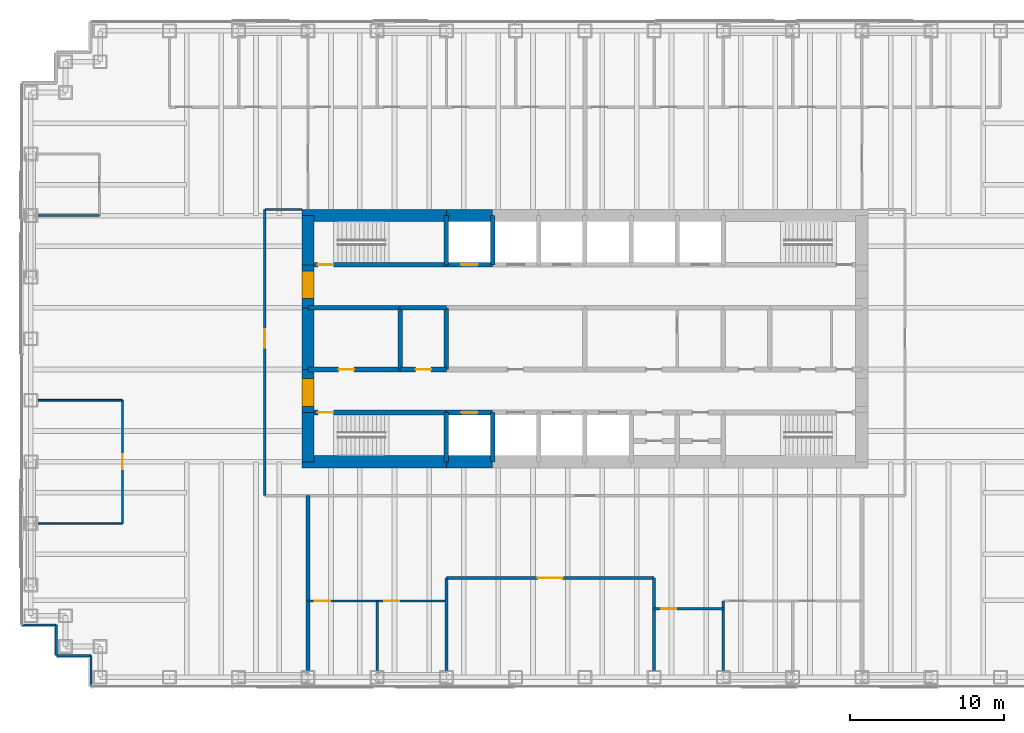
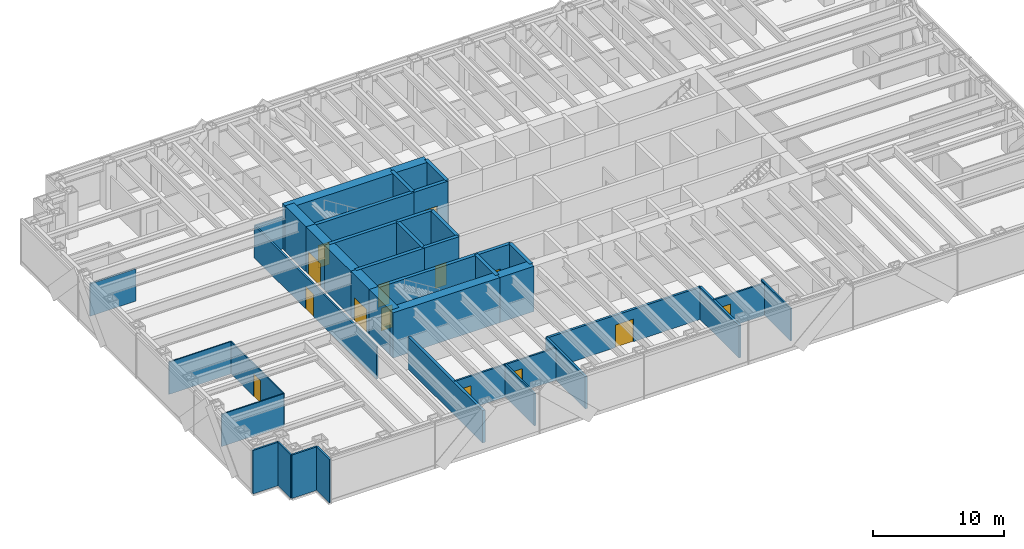
# One storey, part 12 of 17: 41 walls, 14 doors, 14 openings.
"""IFC4 building model written with IfcOpenShell, lengths in metres."""

from ifc_helpers import new_model, si_unit, direction, frame, frame_2d, origin, place, context, subcontext, project, spatial, rectangle, extrude, material, layer, layer_set, type_object, element, fill, save


model = new_model("IFC4")

# Units and contexts
model_context = context("Model", 3, precision=1e-05, world=origin(), true_north=direction((0.0, 1.0)))
body_context = subcontext(model_context, "Body", "Model", "MODEL_VIEW")
ifc_project = project(units=[si_unit("LENGTHUNIT", "METRE"), si_unit("AREAUNIT", "SQUARE_METRE"), si_unit("VOLUMEUNIT", "CUBIC_METRE"), si_unit("PLANEANGLEUNIT", "RADIAN"), si_unit("MASSUNIT", "GRAM", prefix="KILO")], contexts=[model_context])

# Site, building, storey
site_placement = place(None, origin())
site = spatial("IfcSite", under=ifc_project, at=site_placement, CompositionType="ELEMENT")
building_placement = place(site_placement, origin())
building = spatial("IfcBuilding", under=site, at=building_placement, Name="Rheinbord Bourse Tower", CompositionType="ELEMENT")
storey_placement = place(building_placement, frame((0.0, 0.0, 223.60009765625)))
storey = spatial("IfcBuildingStorey", under=building, at=storey_placement, Name="L50", CompositionType="ELEMENT", Elevation=223.60009765625)

# Wall, opening, door
ifc_material_1 = material(Name="Acoustic gypsum board partition", Category="gypsum board")
ifc_layer_1 = layer(ifc_material_1, 0.199951171875)
ifc_layer_set_1 = layer_set([ifc_layer_1], Name="ACOUSTIC PARTITION 200")
wall_type_1 = type_object("IfcWallType", Name="ACOUSTIC PARTITION 200", PredefinedType="PARTITIONING", material=ifc_layer_set_1)
wall_1_placement = place(storey_placement, frame((27.0, 8.449951171875, 0.0), z_axis=(0.0, 0.0, 1.0), x_axis=(1.0, 0.0, 0.0)))
wall_1 = element("IfcWall", 1, at=wall_1_placement, inside=storey, type_object=wall_type_1, Name="Partition L50-04", PredefinedType="PARTITIONING", context=body_context, shape_type="SweptSolid", body=[
    extrude(rectangle(XDim=13.5, YDim=0.199951171875, at=frame_2d((6.75, 0.0))), origin(), (0.0, 0.0, 1.0), 3.0),
])
opening_1_placement = place(wall_1_placement, frame((5.949951171875, 0.0, 0.0)))
opening_1 = element("IfcOpeningElement", 2, at=opening_1_placement, cuts=wall_1, Name="Opening 50D06", PredefinedType="OPENING", context=body_context, shape_type="SweptSolid", body=[
    extrude(rectangle(XDim=1.60009765625, YDim=2.10009765625, at=frame_2d((0.800048828125, 1.050048828125))), frame((0.0, 0.10986328125, 0.0), z_axis=(0.0, -1.0, 0.0), x_axis=(1.0, 0.0, 0.0)), (0.0, 0.0, 1.0), 0.219970703125),
])
ifc_material_2 = material(Name="Timber door", Category="wood")
door_type_1 = type_object("IfcDoorType", Name="DOUBLE ROOM DOOR 1600", OperationType="DOUBLE_DOOR_DOUBLE_SWING", PredefinedType="DOOR", material=ifc_material_2)
door_1_placement = place(opening_1_placement, origin())
door_1 = element("IfcDoor", 3, at=door_1_placement, inside=storey, type_object=door_type_1, Name="Board room door L50", OperationType="SINGLE_SWING_LEFT", OverallHeight=2.10009765625, OverallWidth=1.60009765625, PredefinedType="DOOR", context=body_context, shape_type="SweptSolid", body=[
    extrude(rectangle(XDim=1.60009765625, YDim=2.10009765625, at=frame_2d((0.800048828125, 1.050048828125))), frame((0.0, 0.02490234375, 0.0), z_axis=(0.0, -1.0, 0.0), x_axis=(1.0, 0.0, 0.0)), (0.0, 0.0, 1.0), 0.050048828125),
])
fill(opening_1, door_1)

# Walls
for number, where, z_axis, x_axis, name in (
    (4, (27.0, 2.449951171875, 0.0), (0.0, 0.0, 1.0), (0.0, 1.0, 0.0), "Partition L50-27"),
    (5, (40.5, 2.449951171875, 0.0), (0.0, 0.0, 1.0), (0.0, 1.0, 0.0), "Partition L50-31"),
):
    element("IfcWall", number, at=place(storey_placement, frame(where, z_axis=z_axis, x_axis=x_axis)), inside=storey, type_object=wall_type_1, Name=name, PredefinedType="PARTITIONING", context=body_context, shape_type="SweptSolid", body=[
        extrude(rectangle(XDim=6.0, YDim=0.199951171875, at=frame_2d((3.0, 0.0))), origin(), (0.0, 0.0, 1.0), 3.0),
    ])

# Wall, opening, door
ifc_material_3 = material(Name="Concrete C50/60", Category="concrete")
ifc_layer_2 = layer(ifc_material_3, 0.300048828125)
ifc_layer_set_2 = layer_set([ifc_layer_2], Name="CORE INNER WALL 300")
wall_type_2 = type_object("IfcWallType", Name="CORE INNER WALL 300", PredefinedType="SOLIDWALL", material=ifc_layer_set_2)
wall_2_placement = place(storey_placement, frame((18.0, 19.199951171875, 0.0), z_axis=(0.0, 0.0, 1.0), x_axis=(1.0, 0.0, 0.0)))
wall_2 = element("IfcWall", 6, at=wall_2_placement, inside=storey, type_object=wall_type_2, Name="Core wall A1 L50", PredefinedType="SOLIDWALL", context=body_context, shape_type="SweptSolid", body=[
    extrude(rectangle(XDim=9.0, YDim=0.300048828125, at=frame_2d((4.5, 0.0))), origin(), (0.0, 0.0, 1.0), 4.199951171875),
])
opening_2_placement = place(wall_2_placement, frame((0.64990234375, 0.0, 0.0)))
opening_2 = element("IfcOpeningElement", 7, at=opening_2_placement, cuts=wall_2, Name="Opening 5010", PredefinedType="OPENING", context=body_context, shape_type="SweptSolid", body=[
    extrude(rectangle(XDim=1.0, YDim=2.10009765625, at=frame_2d((0.5, 1.050048828125))), frame((0.0, 0.159912109375, 0.0), z_axis=(0.0, -1.0, 0.0), x_axis=(1.0, 0.0, 0.0)), (0.0, 0.0, 1.0), 0.320068359375),
])
ifc_material_4 = material(Name="Steel door", Category="steel")
door_type_2 = type_object("IfcDoorType", Name="DOOR 1000 EI30", OperationType="SINGLE_SWING_LEFT", PredefinedType="DOOR", material=ifc_material_4)
door_2_placement = place(opening_2_placement, origin())
door_2 = element("IfcDoor", 8, at=door_2_placement, inside=storey, type_object=door_type_2, Name="Stair door ST1 L50", OperationType="SINGLE_SWING_LEFT", OverallHeight=2.10009765625, OverallWidth=1.0, PredefinedType="DOOR", context=body_context, shape_type="SweptSolid", body=[
    extrude(rectangle(XDim=1.0, YDim=2.10009765625, at=frame_2d((0.5, 1.050048828125))), frame((0.0, 0.02490234375, 0.0), z_axis=(0.0, -1.0, 0.0), x_axis=(1.0, 0.0, 0.0)), (0.0, 0.0, 1.0), 0.050048828125),
])
fill(opening_2, door_2)

wall_3_placement = place(storey_placement, frame((27.0, 19.199951171875, 0.0), z_axis=(0.0, 0.0, 1.0), x_axis=(1.0, 0.0, 0.0)))
wall_3 = element("IfcWall", 9, at=wall_3_placement, inside=storey, type_object=wall_type_2, Name="Core wall A2 L50", PredefinedType="SOLIDWALL", context=body_context, shape_type="SweptSolid", body=[
    extrude(rectangle(XDim=3.0, YDim=0.300048828125, at=frame_2d((1.5, 0.0))), origin(), (0.0, 0.0, 1.0), 4.199951171875),
])
opening_3_placement = place(wall_3_placement, frame((0.949951171875, 0.0, 0.0)))
opening_3 = element("IfcOpeningElement", 10, at=opening_3_placement, cuts=wall_3, Name="Opening FL1", PredefinedType="OPENING", context=body_context, shape_type="SweptSolid", body=[
    extrude(rectangle(XDim=1.10009765625, YDim=2.199951171875, at=frame_2d((0.550048828125, 1.10009765625))), frame((0.0, 0.159912109375, 0.0), z_axis=(0.0, -1.0, 0.0), x_axis=(1.0, 0.0, 0.0)), (0.0, 0.0, 1.0), 0.320068359375),
])
ifc_material_5 = material(Name="Steel landing door", Category="steel")
door_type_3 = type_object("IfcDoorType", Name="LIFT LANDING DOOR 1100", OperationType="DOUBLE_DOOR_SLIDING", PredefinedType="USERDEFINED", material=ifc_material_5)
door_3_placement = place(opening_3_placement, origin())
door_3 = element("IfcDoor", 11, at=door_3_placement, inside=storey, type_object=door_type_3, Name="Lift landing door FL1 L50", ObjectType="LIFT LANDING DOOR", OperationType="DOUBLE_DOOR_SLIDING", OverallHeight=2.199951171875, OverallWidth=1.10009765625, PredefinedType="USERDEFINED", context=body_context, shape_type="SweptSolid", body=[
    extrude(rectangle(XDim=1.10009765625, YDim=2.199951171875, at=frame_2d((0.550048828125, 1.10009765625))), frame((0.0, 0.02490234375, 0.0), z_axis=(0.0, -1.0, 0.0), x_axis=(1.0, 0.0, 0.0)), (0.0, 0.0, 1.0), 0.050048828125),
])
fill(opening_3, door_3)

wall_4_placement = place(storey_placement, frame((18.0, 28.800048828125, 0.0), z_axis=(0.0, 0.0, 1.0), x_axis=(1.0, 0.0, 0.0)))
wall_4 = element("IfcWall", 12, at=wall_4_placement, inside=storey, type_object=wall_type_2, Name="Core wall B1 L50", PredefinedType="SOLIDWALL", context=body_context, shape_type="SweptSolid", body=[
    extrude(rectangle(XDim=9.0, YDim=0.300048828125, at=frame_2d((4.5, 0.0))), origin(), (0.0, 0.0, 1.0), 4.199951171875),
])
opening_4_placement = place(wall_4_placement, frame((0.64990234375, 0.0, 0.0)))
opening_4 = element("IfcOpeningElement", 13, at=opening_4_placement, cuts=wall_4, Name="Opening 5020", PredefinedType="OPENING", context=body_context, shape_type="SweptSolid", body=[
    extrude(rectangle(XDim=1.0, YDim=2.10009765625, at=frame_2d((0.5, 1.050048828125))), frame((0.0, 0.159912109375, 0.0), z_axis=(0.0, -1.0, 0.0), x_axis=(1.0, 0.0, 0.0)), (0.0, 0.0, 1.0), 0.320068359375),
])
door_4_placement = place(opening_4_placement, origin())
door_4 = element("IfcDoor", 14, at=door_4_placement, inside=storey, type_object=door_type_2, Name="Stair door ST2 L50", OperationType="SINGLE_SWING_LEFT", OverallHeight=2.10009765625, OverallWidth=1.0, PredefinedType="DOOR", context=body_context, shape_type="SweptSolid", body=[
    extrude(rectangle(XDim=1.0, YDim=2.10009765625, at=frame_2d((0.5, 1.050048828125))), frame((0.0, 0.02490234375, 0.0), z_axis=(0.0, -1.0, 0.0), x_axis=(1.0, 0.0, 0.0)), (0.0, 0.0, 1.0), 0.050048828125),
])
fill(opening_4, door_4)

wall_5_placement = place(storey_placement, frame((27.0, 28.800048828125, 0.0), z_axis=(0.0, 0.0, 1.0), x_axis=(1.0, 0.0, 0.0)))
wall_5 = element("IfcWall", 15, at=wall_5_placement, inside=storey, type_object=wall_type_2, Name="Core wall B2 L50", PredefinedType="SOLIDWALL", context=body_context, shape_type="SweptSolid", body=[
    extrude(rectangle(XDim=3.0, YDim=0.300048828125, at=frame_2d((1.5, 0.0))), origin(), (0.0, 0.0, 1.0), 4.199951171875),
])
opening_5_placement = place(wall_5_placement, frame((0.949951171875, 0.0, 0.0)))
opening_5 = element("IfcOpeningElement", 16, at=opening_5_placement, cuts=wall_5, Name="Opening GL1", PredefinedType="OPENING", context=body_context, shape_type="SweptSolid", body=[
    extrude(rectangle(XDim=1.10009765625, YDim=2.199951171875, at=frame_2d((0.550048828125, 1.10009765625))), frame((0.0, 0.159912109375, 0.0), z_axis=(0.0, -1.0, 0.0), x_axis=(1.0, 0.0, 0.0)), (0.0, 0.0, 1.0), 0.320068359375),
])
door_5_placement = place(opening_5_placement, origin())
door_5 = element("IfcDoor", 17, at=door_5_placement, inside=storey, type_object=door_type_3, Name="Lift landing door GL1 L50", ObjectType="LIFT LANDING DOOR", OperationType="DOUBLE_DOOR_SLIDING", OverallHeight=2.199951171875, OverallWidth=1.10009765625, PredefinedType="USERDEFINED", context=body_context, shape_type="SweptSolid", body=[
    extrude(rectangle(XDim=1.10009765625, YDim=2.199951171875, at=frame_2d((0.550048828125, 1.10009765625))), frame((0.0, 0.02490234375, 0.0), z_axis=(0.0, -1.0, 0.0), x_axis=(1.0, 0.0, 0.0)), (0.0, 0.0, 1.0), 0.050048828125),
])
fill(opening_5, door_5)

wall_6_placement = place(storey_placement, frame((18.0, 22.0, 0.0), z_axis=(0.0, 0.0, 1.0), x_axis=(1.0, 0.0, 0.0)))
wall_6 = element("IfcWall", 18, at=wall_6_placement, inside=storey, type_object=wall_type_2, Name="Core wall C1 L50", PredefinedType="SOLIDWALL", context=body_context, shape_type="SweptSolid", body=[
    extrude(rectangle(XDim=6.0, YDim=0.300048828125, at=frame_2d((3.0, 0.0))), origin(), (0.0, 0.0, 1.0), 4.199951171875),
])
opening_6_placement = place(wall_6_placement, frame((2.0, 0.0, 0.0)))
opening_6 = element("IfcOpeningElement", 19, at=opening_6_placement, cuts=wall_6, Name="Opening 50R1", PredefinedType="OPENING", context=body_context, shape_type="SweptSolid", body=[
    extrude(rectangle(XDim=1.0, YDim=2.10009765625, at=frame_2d((0.5, 1.050048828125))), frame((0.0, 0.159912109375, 0.0), z_axis=(0.0, -1.0, 0.0), x_axis=(1.0, 0.0, 0.0)), (0.0, 0.0, 1.0), 0.320068359375),
])
ifc_material_6 = material(Name="Timber door", Category="wood")
door_type_4 = type_object("IfcDoorType", Name="DOOR 1000 WC", OperationType="SINGLE_SWING_LEFT", PredefinedType="DOOR", material=ifc_material_6)
door_6_placement = place(opening_6_placement, origin())
door_6 = element("IfcDoor", 20, at=door_6_placement, inside=storey, type_object=door_type_4, Name="WC men door L50", OperationType="SINGLE_SWING_LEFT", OverallHeight=2.10009765625, OverallWidth=1.0, PredefinedType="DOOR", context=body_context, shape_type="SweptSolid", body=[
    extrude(rectangle(XDim=1.0, YDim=2.10009765625, at=frame_2d((0.5, 1.050048828125))), frame((0.0, 0.02490234375, 0.0), z_axis=(0.0, -1.0, 0.0), x_axis=(1.0, 0.0, 0.0)), (0.0, 0.0, 1.0), 0.050048828125),
])
fill(opening_6, door_6)

wall_7_placement = place(storey_placement, frame((24.0, 22.0, 0.0), z_axis=(0.0, 0.0, 1.0), x_axis=(1.0, 0.0, 0.0)))
wall_7 = element("IfcWall", 21, at=wall_7_placement, inside=storey, type_object=wall_type_2, Name="Core wall C2 L50", PredefinedType="SOLIDWALL", context=body_context, shape_type="SweptSolid", body=[
    extrude(rectangle(XDim=3.0, YDim=0.300048828125, at=frame_2d((1.5, 0.0))), origin(), (0.0, 0.0, 1.0), 4.199951171875),
])
opening_7_placement = place(wall_7_placement, frame((1.0, 0.0, 0.0)))
opening_7 = element("IfcOpeningElement", 22, at=opening_7_placement, cuts=wall_7, Name="Opening 50R2", PredefinedType="OPENING", context=body_context, shape_type="SweptSolid", body=[
    extrude(rectangle(XDim=1.0, YDim=2.10009765625, at=frame_2d((0.5, 1.050048828125))), frame((0.0, 0.159912109375, 0.0), z_axis=(0.0, -1.0, 0.0), x_axis=(1.0, 0.0, 0.0)), (0.0, 0.0, 1.0), 0.320068359375),
])
door_7_placement = place(opening_7_placement, origin())
door_7 = element("IfcDoor", 23, at=door_7_placement, inside=storey, type_object=door_type_4, Name="Accessible WC door L50", OperationType="SINGLE_SWING_LEFT", OverallHeight=2.10009765625, OverallWidth=1.0, PredefinedType="DOOR", context=body_context, shape_type="SweptSolid", body=[
    extrude(rectangle(XDim=1.0, YDim=2.10009765625, at=frame_2d((0.5, 1.050048828125))), frame((0.0, 0.02490234375, 0.0), z_axis=(0.0, -1.0, 0.0), x_axis=(1.0, 0.0, 0.0)), (0.0, 0.0, 1.0), 0.050048828125),
])
fill(opening_7, door_7)

# Walls
wall_8_placement = place(storey_placement, frame((18.0, 26.0, 0.0), z_axis=(0.0, 0.0, 1.0), x_axis=(1.0, 0.0, 0.0)))
element("IfcWall", 24, at=wall_8_placement, inside=storey, type_object=wall_type_2, Name="Core wall D1 L50", PredefinedType="SOLIDWALL", context=body_context, shape_type="SweptSolid", body=[
    extrude(rectangle(XDim=6.0, YDim=0.300048828125, at=frame_2d((3.0, 0.0))), origin(), (0.0, 0.0, 1.0), 4.199951171875),
])
wall_9_placement = place(storey_placement, frame((24.0, 26.0, 0.0), z_axis=(0.0, 0.0, 1.0), x_axis=(1.0, 0.0, 0.0)))
element("IfcWall", 25, at=wall_9_placement, inside=storey, type_object=wall_type_2, Name="Core wall D2 L50", PredefinedType="SOLIDWALL", context=body_context, shape_type="SweptSolid", body=[
    extrude(rectangle(XDim=3.0, YDim=0.300048828125, at=frame_2d((1.5, 0.0))), origin(), (0.0, 0.0, 1.0), 4.199951171875),
])
for number, where, z_axis, x_axis, name in (
    (26, (27.0, 16.0, 0.0), (0.0, 0.0, 1.0), (0.0, 1.0, 0.0), "Core wall SX27 L50"),
    (27, (27.0, 28.800048828125, 0.0), (0.0, 0.0, 1.0), (0.0, 1.0, 0.0), "Core wall NX27 L50"),
    (28, (30.0, 16.0, 0.0), (0.0, 0.0, 1.0), (0.0, 1.0, 0.0), "Core wall SX30 L50"),
    (29, (30.0, 28.800048828125, 0.0), (0.0, 0.0, 1.0), (0.0, 1.0, 0.0), "Core wall NX30 L50"),
):
    element("IfcWall", number, at=place(storey_placement, frame(where, z_axis=z_axis, x_axis=x_axis)), inside=storey, type_object=wall_type_2, Name=name, PredefinedType="SOLIDWALL", context=body_context, shape_type="SweptSolid", body=[
        extrude(rectangle(XDim=3.199951171875, YDim=0.300048828125, at=frame_2d((1.60009765625, 0.0))), origin(), (0.0, 0.0, 1.0), 4.199951171875),
    ])
for number, where, z_axis, x_axis, name in (
    (30, (24.0, 22.0, 0.0), (0.0, 0.0, 1.0), (0.0, 1.0, 0.0), "Core wall MX24 L50"),
    (31, (27.0, 22.0, 0.0), (0.0, 0.0, 1.0), (0.0, 1.0, 0.0), "Core wall MX27 L50"),
):
    element("IfcWall", number, at=place(storey_placement, frame(where, z_axis=z_axis, x_axis=x_axis)), inside=storey, type_object=wall_type_2, Name=name, PredefinedType="SOLIDWALL", context=body_context, shape_type="SweptSolid", body=[
        extrude(rectangle(XDim=4.0, YDim=0.300048828125, at=frame_2d((2.0, 0.0))), origin(), (0.0, 0.0, 1.0), 4.199951171875),
    ])
ifc_material_7 = material(Name="Concrete C50/60", Category="concrete")
ifc_layer_3 = layer(ifc_material_7, 0.800048828125)
ifc_layer_set_3 = layer_set([ifc_layer_3], Name="CORE WALL 800")
wall_type_3 = type_object("IfcWallType", Name="CORE WALL 800", PredefinedType="SHEAR", material=ifc_layer_set_3)
wall_10_placement = place(storey_placement, frame((17.60009765625, 16.0, 0.0), z_axis=(0.0, 0.0, 1.0), x_axis=(1.0, 0.0, 0.0)))
element("IfcWall", 32, at=wall_10_placement, inside=storey, type_object=wall_type_3, Name="Core wall S1 L50", PredefinedType="SHEAR", context=body_context, shape_type="SweptSolid", body=[
    extrude(rectangle(XDim=9.39990234375, YDim=0.800048828125, at=frame_2d((4.699951171875, 0.0))), origin(), (0.0, 0.0, 1.0), 4.199951171875),
])
for number, where, z_axis, x_axis, name in (
    (33, (27.0, 16.0, 0.0), (0.0, 0.0, 1.0), (1.0, 0.0, 0.0), "Core wall S2 L50"),
    (34, (30.0, 32.0, 0.0), (0.0, 0.0, 1.0), (-1.0, 0.0, 0.0), "Core wall N7 L50"),
):
    element("IfcWall", number, at=place(storey_placement, frame(where, z_axis=z_axis, x_axis=x_axis)), inside=storey, type_object=wall_type_3, Name=name, PredefinedType="SHEAR", context=body_context, shape_type="SweptSolid", body=[
        extrude(rectangle(XDim=3.0, YDim=0.800048828125, at=frame_2d((1.5, 0.0))), origin(), (0.0, 0.0, 1.0), 4.199951171875),
    ])
wall_11_placement = place(storey_placement, frame((27.0, 32.0, 0.0), z_axis=(0.0, 0.0, 1.0), x_axis=(-1.0, 0.0, 0.0)))
element("IfcWall", 35, at=wall_11_placement, inside=storey, type_object=wall_type_3, Name="Core wall N8 L50", PredefinedType="SHEAR", context=body_context, shape_type="SweptSolid", body=[
    extrude(rectangle(XDim=9.39990234375, YDim=0.800048828125, at=frame_2d((4.699951171875, 0.0))), origin(), (0.0, 0.0, 1.0), 4.199951171875),
])
wall_12_placement = place(storey_placement, frame((18.0, 32.0, 0.0), z_axis=(0.0, 0.0, 1.0), x_axis=(0.0, -1.0, 0.0)))
element("IfcWall", 36, at=wall_12_placement, inside=storey, type_object=wall_type_3, Name="Core wall W1 L50", PredefinedType="SHEAR", context=body_context, shape_type="SweptSolid", body=[
    extrude(rectangle(XDim=3.199951171875, YDim=0.800048828125, at=frame_2d((1.60009765625, 0.0))), origin(), (0.0, 0.0, 1.0), 4.199951171875),
])

# Wall, opening, door
wall_13_placement = place(storey_placement, frame((18.0, 28.800048828125, 0.0), z_axis=(0.0, 0.0, 1.0), x_axis=(0.0, -1.0, 0.0)))
wall_13 = element("IfcWall", 37, at=wall_13_placement, inside=storey, type_object=wall_type_3, Name="Core wall W2 L50", PredefinedType="SHEAR", context=body_context, shape_type="SweptSolid", body=[
    extrude(rectangle(XDim=2.800048828125, YDim=0.800048828125, at=frame_2d((1.39990234375, 0.0))), origin(), (0.0, 0.0, 1.0), 4.199951171875),
])
opening_8_placement = place(wall_13_placement, frame((0.39990234375, 0.0, 0.0)))
opening_8 = element("IfcOpeningElement", 38, at=opening_8_placement, cuts=wall_13, Name="Opening 50L2", PredefinedType="OPENING", context=body_context, shape_type="SweptSolid", body=[
    extrude(rectangle(XDim=1.800048828125, YDim=2.10009765625, at=frame_2d((0.89990234375, 1.050048828125))), frame((0.0, 0.409912109375, 0.0), z_axis=(0.0, -1.0, 0.0), x_axis=(1.0, 0.0, 0.0)), (0.0, 0.0, 1.0), 0.820068359375),
])
ifc_material_8 = material(Name="Steel door", Category="steel")
door_type_5 = type_object("IfcDoorType", Name="DOOR 1800 EI30 DOUBLE", OperationType="DOUBLE_DOOR_DOUBLE_SWING", PredefinedType="DOOR", material=ifc_material_8)
door_8_placement = place(opening_8_placement, origin())
door_8 = element("IfcDoor", 39, at=door_8_placement, inside=storey, type_object=door_type_5, Name="Lobby door 2 L50", OperationType="SINGLE_SWING_LEFT", OverallHeight=2.10009765625, OverallWidth=1.800048828125, PredefinedType="DOOR", context=body_context, shape_type="SweptSolid", body=[
    extrude(rectangle(XDim=1.800048828125, YDim=2.10009765625, at=frame_2d((0.89990234375, 1.050048828125))), frame((0.0, 0.39990234375, 0.0), z_axis=(0.0, -1.0, 0.0), x_axis=(1.0, 0.0, 0.0)), (0.0, 0.0, 1.0), 0.799560546875),
])
fill(opening_8, door_8)

# Wall
wall_14_placement = place(storey_placement, frame((18.0, 26.0, 0.0), z_axis=(0.0, 0.0, 1.0), x_axis=(0.0, -1.0, 0.0)))
element("IfcWall", 40, at=wall_14_placement, inside=storey, type_object=wall_type_3, Name="Core wall W3 L50", PredefinedType="SHEAR", context=body_context, shape_type="SweptSolid", body=[
    extrude(rectangle(XDim=4.0, YDim=0.800048828125, at=frame_2d((2.0, 0.0))), origin(), (0.0, 0.0, 1.0), 4.199951171875),
])

# Wall, opening, door
wall_15_placement = place(storey_placement, frame((18.0, 22.0, 0.0), z_axis=(0.0, 0.0, 1.0), x_axis=(0.0, -1.0, 0.0)))
wall_15 = element("IfcWall", 41, at=wall_15_placement, inside=storey, type_object=wall_type_3, Name="Core wall W4 L50", PredefinedType="SHEAR", context=body_context, shape_type="SweptSolid", body=[
    extrude(rectangle(XDim=2.800048828125, YDim=0.800048828125, at=frame_2d((1.39990234375, 0.0))), origin(), (0.0, 0.0, 1.0), 4.199951171875),
])
opening_9_placement = place(wall_15_placement, frame((0.60009765625, 0.0, 0.0)))
opening_9 = element("IfcOpeningElement", 42, at=opening_9_placement, cuts=wall_15, Name="Opening 50L1", PredefinedType="OPENING", context=body_context, shape_type="SweptSolid", body=[
    extrude(rectangle(XDim=1.800048828125, YDim=2.10009765625, at=frame_2d((0.89990234375, 1.050048828125))), frame((0.0, 0.409912109375, 0.0), z_axis=(0.0, -1.0, 0.0), x_axis=(1.0, 0.0, 0.0)), (0.0, 0.0, 1.0), 0.820068359375),
])
door_9_placement = place(opening_9_placement, origin())
door_9 = element("IfcDoor", 43, at=door_9_placement, inside=storey, type_object=door_type_5, Name="Lobby door 1 L50", OperationType="SINGLE_SWING_LEFT", OverallHeight=2.10009765625, OverallWidth=1.800048828125, PredefinedType="DOOR", context=body_context, shape_type="SweptSolid", body=[
    extrude(rectangle(XDim=1.800048828125, YDim=2.10009765625, at=frame_2d((0.89990234375, 1.050048828125))), frame((0.0, 0.39990234375, 0.0), z_axis=(0.0, -1.0, 0.0), x_axis=(1.0, 0.0, 0.0)), (0.0, 0.0, 1.0), 0.799560546875),
])
fill(opening_9, door_9)

# Walls
wall_16_placement = place(storey_placement, frame((18.0, 19.199951171875, 0.0), z_axis=(0.0, 0.0, 1.0), x_axis=(0.0, -1.0, 0.0)))
element("IfcWall", 44, at=wall_16_placement, inside=storey, type_object=wall_type_3, Name="Core wall W5 L50", PredefinedType="SHEAR", context=body_context, shape_type="SweptSolid", body=[
    extrude(rectangle(XDim=3.199951171875, YDim=0.800048828125, at=frame_2d((1.60009765625, 0.0))), origin(), (0.0, 0.0, 1.0), 4.199951171875),
])
ifc_material_9 = material(Name="Black metal rainscreen panel", Category="aluminium")
ifc_layer_4 = layer(ifc_material_9, 0.14990234375)
ifc_layer_set_4 = layer_set([ifc_layer_4], Name="CORNER PIER CLADDING 150")
wall_type_4 = type_object("IfcWallType", Name="CORNER PIER CLADDING 150", PredefinedType="ELEMENTEDWALL", material=ifc_layer_set_4)
wall_17_placement = place(storey_placement, frame((-0.60009765625, 5.39990234375, 0.0), z_axis=(0.0, 0.0, 1.0), x_axis=(1.0, 0.0, 0.0)))
element("IfcWall", 45, at=wall_17_placement, inside=storey, type_object=wall_type_4, Name="Corner pier cladding L50 17", PredefinedType="ELEMENTEDWALL", context=body_context, shape_type="SweptSolid", body=[
    extrude(rectangle(XDim=2.25, YDim=0.14990234375, at=frame_2d((1.125, 0.0))), origin(), (0.0, 0.0, 1.0), 4.039794921875),
])
wall_18_placement = place(storey_placement, frame((1.64990234375, 5.39990234375, 0.0), z_axis=(0.0, 0.0, 1.0), x_axis=(0.0, -1.0, 0.0)))
element("IfcWall", 46, at=wall_18_placement, inside=storey, type_object=wall_type_4, Name="Corner pier cladding L50 18", PredefinedType="ELEMENTEDWALL", context=body_context, shape_type="SweptSolid", body=[
    extrude(rectangle(XDim=2.0, YDim=0.14990234375, at=frame_2d((1.0, 0.0))), origin(), (0.0, 0.0, 1.0), 4.039794921875),
])
wall_19_placement = place(storey_placement, frame((1.64990234375, 3.39990234375, 0.0), z_axis=(0.0, 0.0, 1.0), x_axis=(1.0, 0.0, 0.0)))
element("IfcWall", 47, at=wall_19_placement, inside=storey, type_object=wall_type_4, Name="Corner pier cladding L50 19", PredefinedType="ELEMENTEDWALL", context=body_context, shape_type="SweptSolid", body=[
    extrude(rectangle(XDim=2.25, YDim=0.14990234375, at=frame_2d((1.125, 0.0))), origin(), (0.0, 0.0, 1.0), 4.039794921875),
])
wall_20_placement = place(storey_placement, frame((3.89990234375, 3.39990234375, 0.0), z_axis=(0.0, 0.0, 1.0), x_axis=(0.0, -1.0, 0.0)))
element("IfcWall", 48, at=wall_20_placement, inside=storey, type_object=wall_type_4, Name="Corner pier cladding L50 20", PredefinedType="ELEMENTEDWALL", context=body_context, shape_type="SweptSolid", body=[
    extrude(rectangle(XDim=2.0, YDim=0.14990234375, at=frame_2d((1.0, 0.0))), origin(), (0.0, 0.0, 1.0), 4.039794921875),
])
ifc_material_10 = material(Name="Gypsum board corridor partition", Category="gypsum board")
ifc_layer_5 = layer(ifc_material_10, 0.14990234375)
ifc_layer_set_5 = layer_set([ifc_layer_5], Name="CORRIDOR PARTITION 150 EI30")
wall_type_5 = type_object("IfcWallType", Name="CORRIDOR PARTITION 150 EI30", PredefinedType="PARTITIONING", material=ifc_layer_set_5)
wall_21_placement = place(storey_placement, frame((15.199951171875, 32.39990234375, 0.0), z_axis=(0.0, 0.0, 1.0), x_axis=(1.0, 0.0, 0.0)))
element("IfcWall", 49, at=wall_21_placement, inside=storey, type_object=wall_type_5, Name="Partition L50-13", PredefinedType="PARTITIONING", context=body_context, shape_type="SweptSolid", body=[
    extrude(rectangle(XDim=2.400146484375, YDim=0.14990234375, at=frame_2d((1.2001953125, 0.0))), origin(), (0.0, 0.0, 1.0), 3.0),
])

# Wall, opening, door
wall_22_placement = place(storey_placement, frame((15.199951171875, 13.800048828125, 0.0), z_axis=(0.0, 0.0, 1.0), x_axis=(0.0, 1.0, 0.0)))
wall_22 = element("IfcWall", 50, at=wall_22_placement, inside=storey, type_object=wall_type_5, Name="Partition L50-21", PredefinedType="PARTITIONING", context=body_context, shape_type="SweptSolid", body=[
    extrude(rectangle(XDim=18.599853515625, YDim=0.14990234375, at=frame_2d((9.2998046875, 0.0))), origin(), (0.0, 0.0, 1.0), 3.0),
])
opening_10_placement = place(wall_22_placement, frame((9.60009765625, 0.0, 0.0)))
opening_10 = element("IfcOpeningElement", 51, at=opening_10_placement, cuts=wall_22, Name="Opening 50D25", PredefinedType="OPENING", context=body_context, shape_type="SweptSolid", body=[
    extrude(rectangle(XDim=1.199951171875, YDim=2.10009765625, at=frame_2d((0.60009765625, 1.050048828125))), frame((0.0, 0.0849609375, 0.0), z_axis=(0.0, -1.0, 0.0), x_axis=(1.0, 0.0, 0.0)), (0.0, 0.0, 1.0), 0.169921875),
])
ifc_material_11 = material(Name="Timber fire door", Category="wood")
door_type_6 = type_object("IfcDoorType", Name="SUITE ENTRANCE DOOR 1200 EI30", OperationType="SINGLE_SWING_LEFT", PredefinedType="DOOR", material=ifc_material_11)
door_10_placement = place(opening_10_placement, origin())
door_10 = element("IfcDoor", 52, at=door_10_placement, inside=storey, type_object=door_type_6, Name="Suite entrance 1 door L50", OperationType="SINGLE_SWING_RIGHT", OverallHeight=2.10009765625, OverallWidth=1.199951171875, PredefinedType="DOOR", context=body_context, shape_type="SweptSolid", body=[
    extrude(rectangle(XDim=1.199951171875, YDim=2.10009765625, at=frame_2d((0.60009765625, 1.050048828125))), frame((0.0, 0.02490234375, 0.0), z_axis=(0.0, -1.0, 0.0), x_axis=(1.0, 0.0, 0.0)), (0.0, 0.0, 1.0), 0.050048828125),
])
fill(opening_10, door_10)

# Walls
ifc_material_12 = material(Name="Gypsum board tenancy wall", Category="gypsum board")
ifc_layer_6 = layer(ifc_material_12, 0.25)
ifc_layer_set_6 = layer_set([ifc_layer_6], Name="DEMISING PARTITION 250 EI60")
wall_type_6 = type_object("IfcWallType", Name="DEMISING PARTITION 250 EI60", PredefinedType="PARTITIONING", material=ifc_layer_set_6)
wall_23_placement = place(storey_placement, frame((18.0, 2.449951171875, 0.0), z_axis=(0.0, 0.0, 1.0), x_axis=(0.0, 1.0, 0.0)))
element("IfcWall", 53, at=wall_23_placement, inside=storey, type_object=wall_type_6, Name="Partition L50-22", PredefinedType="PARTITIONING", context=body_context, shape_type="SweptSolid", body=[
    extrude(rectangle(XDim=11.35009765625, YDim=0.25, at=frame_2d((5.675048828125, 0.0))), origin(), (0.0, 0.0, 1.0), 3.0),
])
ifc_material_13 = material(Name="Toughened laminated glass partition", Category="glass")
ifc_layer_7 = layer(ifc_material_13, 0.10009765625)
ifc_layer_set_7 = layer_set([ifc_layer_7], Name="GLAZED PARTITION 100")
wall_type_7 = type_object("IfcWallType", Name="GLAZED PARTITION 100", PredefinedType="PARTITIONING", material=ifc_layer_set_7)
for number, where, z_axis, x_axis, name in (
    (54, (0.449951171875, 12.0, 0.0), (0.0, 0.0, 1.0), (1.0, 0.0, 0.0), "Partition L50-05"),
    (55, (0.449951171875, 20.0, 0.0), (0.0, 0.0, 1.0), (1.0, 0.0, 0.0), "Partition L50-08"),
):
    element("IfcWall", number, at=place(storey_placement, frame(where, z_axis=z_axis, x_axis=x_axis)), inside=storey, type_object=wall_type_7, Name=name, PredefinedType="PARTITIONING", context=body_context, shape_type="SweptSolid", body=[
        extrude(rectangle(XDim=5.5, YDim=0.10009765625, at=frame_2d((2.75, 0.0))), origin(), (0.0, 0.0, 1.0), 3.0),
    ])

# Wall, opening, door
wall_24_placement = place(storey_placement, frame((5.949951171875, 12.0, 0.0), z_axis=(0.0, 0.0, 1.0), x_axis=(0.0, 1.0, 0.0)))
wall_24 = element("IfcWall", 56, at=wall_24_placement, inside=storey, type_object=wall_type_7, Name="Partition L50-18", PredefinedType="PARTITIONING", context=body_context, shape_type="SweptSolid", body=[
    extrude(rectangle(XDim=8.0, YDim=0.10009765625, at=frame_2d((4.0, 0.0))), origin(), (0.0, 0.0, 1.0), 3.0),
])
opening_11_placement = place(wall_24_placement, frame((3.5, 0.0, 0.0)))
opening_11 = element("IfcOpeningElement", 57, at=opening_11_placement, cuts=wall_24, Name="Opening 50D08", PredefinedType="OPENING", context=body_context, shape_type="SweptSolid", body=[
    extrude(rectangle(XDim=1.0, YDim=2.10009765625, at=frame_2d((0.5, 1.050048828125))), frame((0.0, 0.06005859375, 0.0), z_axis=(0.0, -1.0, 0.0), x_axis=(1.0, 0.0, 0.0)), (0.0, 0.0, 1.0), 0.1201171875),
])
ifc_material_14 = material(Name="Timber door", Category="wood")
door_type_7 = type_object("IfcDoorType", Name="ROOM DOOR 1000", OperationType="SINGLE_SWING_LEFT", PredefinedType="DOOR", material=ifc_material_14)
door_11_placement = place(opening_11_placement, origin())
door_11 = element("IfcDoor", 58, at=door_11_placement, inside=storey, type_object=door_type_7, Name="Meeting room door L50", OperationType="SINGLE_SWING_LEFT", OverallHeight=2.10009765625, OverallWidth=1.0, PredefinedType="DOOR", context=body_context, shape_type="SweptSolid", body=[
    extrude(rectangle(XDim=1.0, YDim=2.10009765625, at=frame_2d((0.5, 1.050048828125))), frame((0.0, 0.02490234375, 0.0), z_axis=(0.0, -1.0, 0.0), x_axis=(1.0, 0.0, 0.0)), (0.0, 0.0, 1.0), 0.050048828125),
])
fill(opening_11, door_11)

ifc_material_15 = material(Name="Gypsum board partition", Category="gypsum board")
ifc_layer_8 = layer(ifc_material_15, 0.14990234375)
ifc_layer_set_8 = layer_set([ifc_layer_8], Name="PARTITION 150")
wall_type_8 = type_object("IfcWallType", Name="PARTITION 150", PredefinedType="PARTITIONING", material=ifc_layer_set_8)
wall_25_placement = place(storey_placement, frame((40.5, 6.449951171875, 0.0), z_axis=(0.0, 0.0, 1.0), x_axis=(1.0, 0.0, 0.0)))
wall_25 = element("IfcWall", 59, at=wall_25_placement, inside=storey, type_object=wall_type_8, Name="Partition L50-01", PredefinedType="PARTITIONING", context=body_context, shape_type="SweptSolid", body=[
    extrude(rectangle(XDim=4.5, YDim=0.14990234375, at=frame_2d((2.25, 0.0))), origin(), (0.0, 0.0, 1.0), 3.0),
])
opening_12_placement = place(wall_25_placement, frame((0.449951171875, 0.0, 0.0)))
opening_12 = element("IfcOpeningElement", 60, at=opening_12_placement, cuts=wall_25, Name="Opening 50D01", PredefinedType="OPENING", context=body_context, shape_type="SweptSolid", body=[
    extrude(rectangle(XDim=1.0, YDim=2.10009765625, at=frame_2d((0.5, 1.050048828125))), frame((0.0, 0.0849609375, 0.0), z_axis=(0.0, -1.0, 0.0), x_axis=(1.0, 0.0, 0.0)), (0.0, 0.0, 1.0), 0.169921875),
])
door_12_placement = place(opening_12_placement, origin())
door_12 = element("IfcDoor", 61, at=door_12_placement, inside=storey, type_object=door_type_7, Name="Kitchenette door L50", OperationType="SINGLE_SWING_LEFT", OverallHeight=2.10009765625, OverallWidth=1.0, PredefinedType="DOOR", context=body_context, shape_type="SweptSolid", body=[
    extrude(rectangle(XDim=1.0, YDim=2.10009765625, at=frame_2d((0.5, 1.050048828125))), frame((0.0, 0.02490234375, 0.0), z_axis=(0.0, -1.0, 0.0), x_axis=(1.0, 0.0, 0.0)), (0.0, 0.0, 1.0), 0.050048828125),
])
fill(opening_12, door_12)

# Wall, openings, doors
wall_26_placement = place(storey_placement, frame((18.0, 6.949951171875, 0.0), z_axis=(0.0, 0.0, 1.0), x_axis=(1.0, 0.0, 0.0)))
wall_26 = element("IfcWall", 62, at=wall_26_placement, inside=storey, type_object=wall_type_8, Name="Partition L50-02", PredefinedType="PARTITIONING", context=body_context, shape_type="SweptSolid", body=[
    extrude(rectangle(XDim=9.0, YDim=0.14990234375, at=frame_2d((4.5, 0.0))), origin(), (0.0, 0.0, 1.0), 3.0),
])
opening_13_placement = place(wall_26_placement, frame((0.449951171875, 0.0, 0.0)))
opening_13 = element("IfcOpeningElement", 63, at=opening_13_placement, cuts=wall_26, Name="Opening 50D02", PredefinedType="OPENING", context=body_context, shape_type="SweptSolid", body=[
    extrude(rectangle(XDim=1.0, YDim=2.10009765625, at=frame_2d((0.5, 1.050048828125))), frame((0.0, 0.0849609375, 0.0), z_axis=(0.0, -1.0, 0.0), x_axis=(1.0, 0.0, 0.0)), (0.0, 0.0, 1.0), 0.169921875),
])
opening_14_placement = place(wall_26_placement, frame((4.949951171875, 0.0, 0.0)))
opening_14 = element("IfcOpeningElement", 64, at=opening_14_placement, cuts=wall_26, Name="Opening 50D03", PredefinedType="OPENING", context=body_context, shape_type="SweptSolid", body=[
    extrude(rectangle(XDim=1.0, YDim=2.10009765625, at=frame_2d((0.5, 1.050048828125))), frame((0.0, 0.0849609375, 0.0), z_axis=(0.0, -1.0, 0.0), x_axis=(1.0, 0.0, 0.0)), (0.0, 0.0, 1.0), 0.169921875),
])
door_13_placement = place(opening_13_placement, origin())
door_13 = element("IfcDoor", 65, at=door_13_placement, inside=storey, type_object=door_type_7, Name="Office door L50", OperationType="SINGLE_SWING_LEFT", OverallHeight=2.10009765625, OverallWidth=1.0, PredefinedType="DOOR", context=body_context, shape_type="SweptSolid", body=[
    extrude(rectangle(XDim=1.0, YDim=2.10009765625, at=frame_2d((0.5, 1.050048828125))), frame((0.0, 0.02490234375, 0.0), z_axis=(0.0, -1.0, 0.0), x_axis=(1.0, 0.0, 0.0)), (0.0, 0.0, 1.0), 0.050048828125),
])
fill(opening_13, door_13)
door_14_placement = place(opening_14_placement, origin())
door_14 = element("IfcDoor", 66, at=door_14_placement, inside=storey, type_object=door_type_7, Name="Office door L50", OperationType="SINGLE_SWING_RIGHT", OverallHeight=2.10009765625, OverallWidth=1.0, PredefinedType="DOOR", context=body_context, shape_type="SweptSolid", body=[
    extrude(rectangle(XDim=1.0, YDim=2.10009765625, at=frame_2d((0.5, 1.050048828125))), frame((0.0, 0.02490234375, 0.0), z_axis=(0.0, -1.0, 0.0), x_axis=(1.0, 0.0, 0.0)), (0.0, 0.0, 1.0), 0.050048828125),
])
fill(opening_14, door_14)

# Walls
wall_27_placement = place(storey_placement, frame((0.449951171875, 32.0, 0.0), z_axis=(0.0, 0.0, 1.0), x_axis=(1.0, 0.0, 0.0)))
element("IfcWall", 67, at=wall_27_placement, inside=storey, type_object=wall_type_8, Name="Partition L50-11", PredefinedType="PARTITIONING", context=body_context, shape_type="SweptSolid", body=[
    extrude(rectangle(XDim=4.0, YDim=0.14990234375, at=frame_2d((2.0, 0.0))), origin(), (0.0, 0.0, 1.0), 3.0),
])
for number, where, z_axis, x_axis, name in (
    (68, (22.5, 2.449951171875, 0.0), (0.0, 0.0, 1.0), (0.0, 1.0, 0.0), "Partition L50-25"),
    (69, (45.0, 2.449951171875, 0.0), (0.0, 0.0, 1.0), (0.0, 1.0, 0.0), "Partition L50-33"),
):
    element("IfcWall", number, at=place(storey_placement, frame(where, z_axis=z_axis, x_axis=x_axis)), inside=storey, type_object=wall_type_8, Name=name, PredefinedType="PARTITIONING", context=body_context, shape_type="SweptSolid", body=[
        extrude(rectangle(XDim=4.5, YDim=0.14990234375, at=frame_2d((2.25, 0.0))), origin(), (0.0, 0.0, 1.0), 3.0),
    ])

save(model, "model.ifc")
